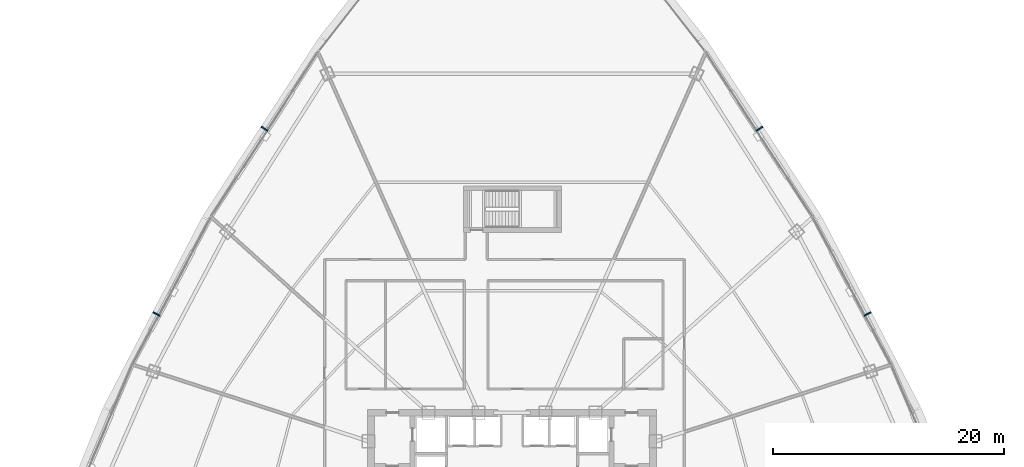
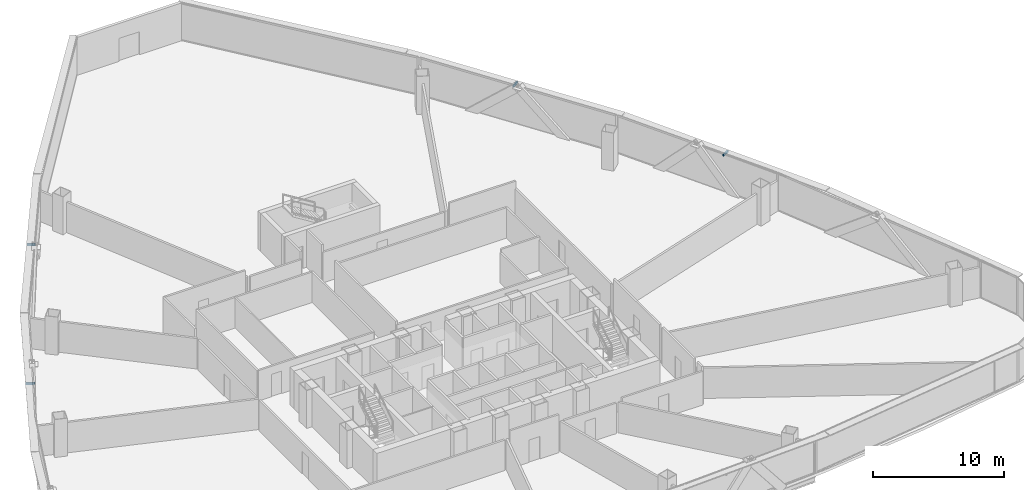
# One storey, part 35 of 39: 4 discrete accessories.
"""IFC4 building model written with IfcOpenShell, lengths in metres."""

from ifc_helpers import new_model, si_unit, direction, frame, origin, origin_2d, place, context, subcontext, project, spatial, rectangle, extrude, source, transform, mapped, material, type_object, element, save


model = new_model("IFC4")

# Units and contexts
model_context = context("Model", 3, precision=1e-05, world=origin(), true_north=direction((0.0, 1.0)))
body_context = subcontext(model_context, "Body", "Model", "MODEL_VIEW")
ifc_project = project(units=[si_unit("LENGTHUNIT", "METRE"), si_unit("AREAUNIT", "SQUARE_METRE"), si_unit("VOLUMEUNIT", "CUBIC_METRE"), si_unit("PLANEANGLEUNIT", "RADIAN"), si_unit("MASSUNIT", "GRAM", prefix="KILO"), si_unit("THERMODYNAMICTEMPERATUREUNIT", "KELVIN"), si_unit("POWERUNIT", "WATT")], contexts=[model_context])

# Site, building, storey
site_placement = place(None, origin())
site = spatial("IfcSite", under=ifc_project, at=site_placement, CompositionType="ELEMENT")
building_placement = place(site_placement, origin())
building = spatial("IfcBuilding", under=site, at=building_placement, Name="Yunzhuo Pagoda Commons", CompositionType="ELEMENT")
storey_placement = place(building_placement, frame((0.0, 0.0, 100.179931640625)))
storey = spatial("IfcBuildingStorey", under=building, at=storey_placement, Name="L25", CompositionType="ELEMENT", Elevation=100.179931640625)

# Discrete accessories
ifc_material = material(Name="Anodized aluminium 6063-T6", Category="aluminium")
discrete_accessory_type = type_object("IfcDiscreteAccessoryType", Name="BK-SUN1 Sunshade Outrigger Bracket", PredefinedType="BRACKET", material=ifc_material)
shared_shape = source(origin(), body_context, "Body", "SweptSolid", [
    extrude(rectangle(XDim=0.1201171875, YDim=0.679931640625, at=origin_2d()), origin(), (0.0, 0.0, 1.0), 0.179931640625),
])
for number, where, z_axis, x_axis, name in (
    (1, (78.73779296875, 48.7294921875, 3.330078125), (0.0, 0.0, 1.0), (-0.461206683033, 0.88729273384, 0.0), "L25 sunshade outrigger bracket F2.2"),
    (2, (69.3876953125, 64.7470703125, 3.330078125), (0.0, 0.0, 1.0), (-0.545838756973, 0.837890238269, 0.0), "L25 sunshade outrigger bracket F2.3"),
    (3, (26.6123046875, 64.7470703125, 3.330078125), (0.0, 0.0, 1.0), (-0.545838756973, -0.837890238269, 0.0), "L25 sunshade outrigger bracket F3.2"),
    (4, (17.26220703125, 48.7294921875, 3.330078125), (0.0, 0.0, 1.0), (-0.461206683033, -0.88729273384, 0.0), "L25 sunshade outrigger bracket F3.3"),
):
    element("IfcDiscreteAccessory", number, at=place(storey_placement, frame(where, z_axis=z_axis, x_axis=x_axis)), inside=storey, type_object=discrete_accessory_type, Name=name, PredefinedType="BRACKET", context=body_context, shape_type="MappedRepresentation", body=[
        mapped(shared_shape, transform((0.0, 0.0, 0.0), scale=1.0)),
    ])

save(model, "model.ifc")
